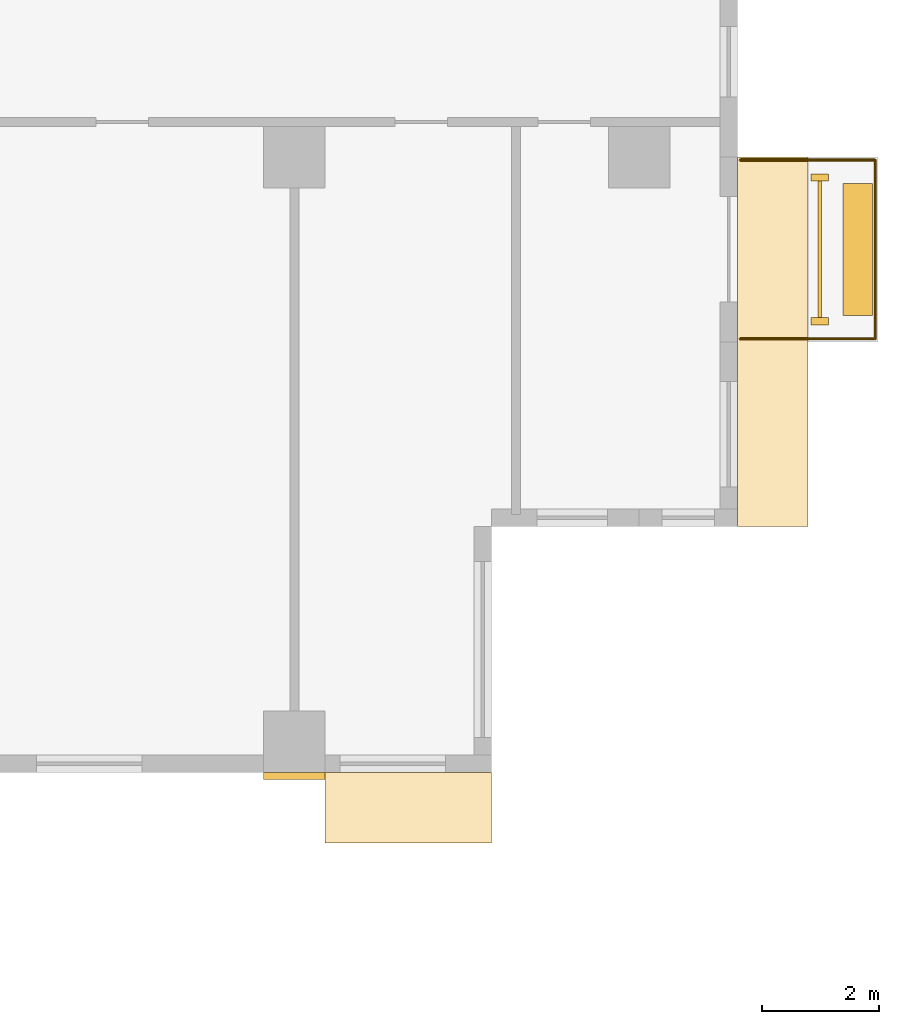
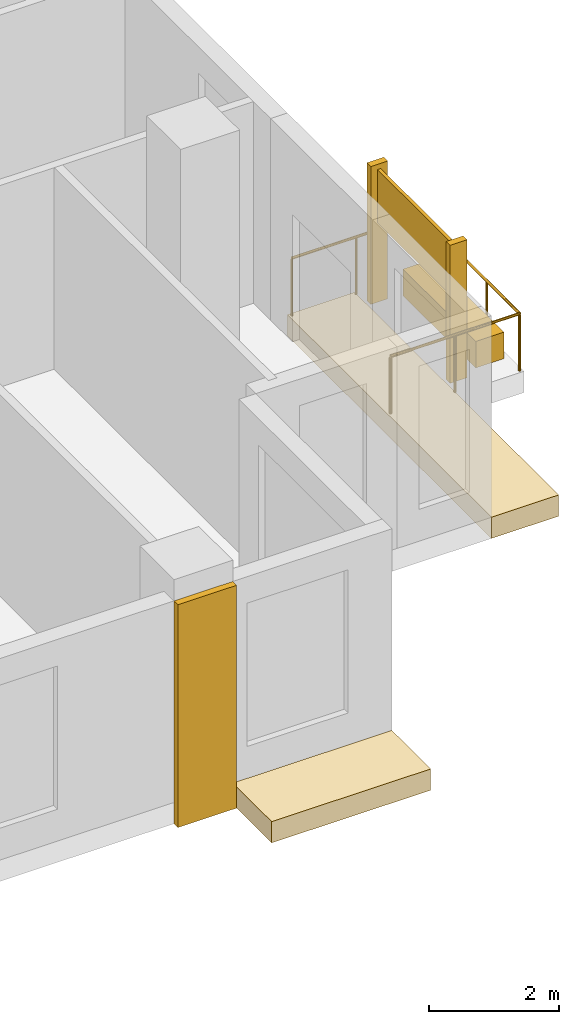
# One storey, part 15 of 15: 7 coverings, 1 railing.
"""IFC4 building model written with IfcOpenShell, lengths in metres."""

from ifc_helpers import new_model, si_unit, direction, frame, origin, origin_2d, place, context, subcontext, project, spatial, polyline, rectangle, circle, outline, extrude, source, transform, mapped, material, type_object, element, save


model = new_model("IFC4")

# Units and contexts
model_context = context("Model", 3, precision=1e-05, world=origin(), true_north=direction((0.0, 1.0)))
body_context = subcontext(model_context, "Body", "Model", "MODEL_VIEW")
ifc_project = project(units=[si_unit("LENGTHUNIT", "METRE"), si_unit("AREAUNIT", "SQUARE_METRE"), si_unit("VOLUMEUNIT", "CUBIC_METRE"), si_unit("PLANEANGLEUNIT", "RADIAN"), si_unit("MASSUNIT", "GRAM", prefix="KILO")], contexts=[model_context])

# Site, building, storey
site_placement = place(None, origin())
site = spatial("IfcSite", under=ifc_project, at=site_placement, CompositionType="ELEMENT")
building_placement = place(site_placement, origin())
building = spatial("IfcBuilding", under=site, at=building_placement, Name="Aurelian Terraces", CompositionType="ELEMENT")
storey_placement = place(building_placement, frame((0.0, 0.0, 145.5)))
storey = spatial("IfcBuildingStorey", under=building, at=storey_placement, Name="L32", CompositionType="ELEMENT", Elevation=145.5)

# Coverings
ifc_material_1 = material(Name="Terracotta roof tiles on membrane", Category="masonry")
covering_type_1 = type_object("IfcCoveringType", Name="Bay roof cover", PredefinedType="ROOFING", material=ifc_material_1)
covering_1_placement = place(storey_placement, frame((0.0, 0.0, -0.4)))
element("IfcCovering", 1, at=covering_1_placement, inside=storey, type_object=covering_type_1, Name="Bay roof L32 64.36_-1.20_67.20_0.00", PredefinedType="ROOFING", context=body_context, shape_type="SweptSolid", body=[
    extrude(outline(polyline([(64.365, 0.0), (67.2, 0.0), (67.2, -1.2), (64.365, -1.2), (64.365, 0.0)])), origin(), (0.0, 0.0, 1.0), 0.4),
])
ifc_material_2 = material(Name="Terracotta rainscreen cladding relief", Category="masonry")
covering_type_2 = type_object("IfcCoveringType", Name="FIN-TC", PredefinedType="CLADDING", material=ifc_material_2)
shared_shape_1 = source(origin(), body_context, "Body", "SweptSolid", [
    extrude(rectangle(XDim=0.3, YDim=0.12, at=origin_2d()), origin(), (0.0, 0.0, 1.0), 2.6),
])
for number, where, z_axis, x_axis, name in (
    (2, (72.8, 7.7, 0.0), (0.0, 0.0, 1.0), (1.0, 0.0, 0.0), "FIN L32 L32-F08-18.1"),
    (3, (72.8, 10.15, 0.0), (0.0, 0.0, 1.0), (1.0, 0.0, 0.0), "FIN L32 L32-F08-18.2"),
):
    element("IfcCovering", number, at=place(storey_placement, frame(where, z_axis=z_axis, x_axis=x_axis)), inside=storey, type_object=covering_type_2, Name=name, PredefinedType="CLADDING", context=body_context, shape_type="MappedRepresentation", body=[
        mapped(shared_shape_1, transform((0.0, 0.0, 0.0), scale=1.0)),
    ])

# Railing
ifc_material_3 = material(Name="Anodised aluminium", Category="aluminium")
railing_type = type_object("IfcRailingType", Name="GUARD-1100", PredefinedType="GUARDRAIL", material=ifc_material_3)
shared_shape_2 = source(origin(), body_context, "Body", "SweptSolid", [
    extrude(circle(Radius=0.024, at=origin_2d()), frame((0.0, 0.0, 1.076), z_axis=(1.0, 0.0, 0.0), x_axis=(0.0, 1.0, 0.0)), (0.0, 0.0, 1.0), 2.3),
    extrude(circle(Radius=0.024, at=origin_2d()), frame((2.3, 0.0, 1.076), z_axis=(0.0, 1.0, 0.0), x_axis=(-1.0, 0.0, 0.0)), (0.0, 0.0, 1.0), 3.05),
    extrude(circle(Radius=0.024, at=origin_2d()), frame((2.3, 3.05, 1.076), z_axis=(-1.0, 0.0, 0.0), x_axis=(0.0, -1.0, 0.0)), (0.0, 0.0, 1.0), 2.3),
    extrude(circle(Radius=0.021, at=origin_2d()), origin(), (0.0, 0.0, 1.0), 1.052),
    extrude(circle(Radius=0.021, at=origin_2d()), frame((1.15, 0.0, 0.0)), (0.0, 0.0, 1.0), 1.052),
    extrude(circle(Radius=0.021, at=origin_2d()), frame((2.3, 0.0, 0.0)), (0.0, 0.0, 1.0), 1.052),
    extrude(circle(Radius=0.021, at=origin_2d()), frame((2.3, 1.0167, 0.0)), (0.0, 0.0, 1.0), 1.052),
    extrude(circle(Radius=0.021, at=origin_2d()), frame((2.3, 2.0333, 0.0)), (0.0, 0.0, 1.0), 1.052),
    extrude(circle(Radius=0.021, at=origin_2d()), frame((2.3, 3.05, 0.0)), (0.0, 0.0, 1.0), 1.052),
    extrude(circle(Radius=0.021, at=origin_2d()), frame((1.15, 3.05, 0.0)), (0.0, 0.0, 1.0), 1.052),
    extrude(circle(Radius=0.021, at=origin_2d()), frame((0.0, 3.05, 0.0)), (0.0, 0.0, 1.0), 1.052),
])
railing_placement = place(storey_placement, frame((71.45, 7.4, 0.0)))
element("IfcRailing", 4, at=railing_placement, inside=storey, type_object=railing_type, Name="Balcony guard L32 F08.18", PredefinedType="GUARDRAIL", context=body_context, shape_type="MappedRepresentation", body=[
    mapped(shared_shape_2, transform((0.0, 0.0, 0.0), scale=1.0)),
])

# Coverings
ifc_material_4 = material(Name="Terracotta planter with planting soil", Category="masonry")
covering_type_3 = type_object("IfcCoveringType", Name="PLANTER-TROUGH", PredefinedType="USERDEFINED", material=ifc_material_4)
shared_shape_3 = source(origin(), body_context, "Body", "SweptSolid", [
    extrude(rectangle(XDim=0.5, YDim=2.25, at=origin_2d()), origin(), (0.0, 0.0, 1.0), 0.5),
])
covering_2_placement = place(storey_placement, frame((73.45, 8.925, 0.0), z_axis=(0.0, 0.0, 1.0), x_axis=(1.0, 0.0, 0.0)))
element("IfcCovering", 5, at=covering_2_placement, inside=storey, type_object=covering_type_3, Name="PLANTER L32 L32-F08-18", ObjectType="PLANTER", PredefinedType="USERDEFINED", context=body_context, shape_type="MappedRepresentation", body=[
    mapped(shared_shape_3, transform((0.0, 0.0, 0.0), scale=1.0)),
])
ifc_material_5 = material(Name="Terracotta rainscreen cladding", Category="masonry")
covering_type_4 = type_object("IfcCoveringType", Name="SCREEN-TC", PredefinedType="CLADDING", material=ifc_material_5)
shared_shape_4 = source(origin(), body_context, "Body", "SweptSolid", [
    extrude(rectangle(XDim=0.06, YDim=2.33, at=origin_2d()), origin(), (0.0, 0.0, 1.0), 1.0),
])
covering_3_placement = place(storey_placement, frame((72.8, 8.925, 1.5), z_axis=(0.0, 0.0, 1.0), x_axis=(1.0, 0.0, 0.0)))
element("IfcCovering", 6, at=covering_3_placement, inside=storey, type_object=covering_type_4, Name="SCREEN L32 L32-F08-18", PredefinedType="CLADDING", context=body_context, shape_type="MappedRepresentation", body=[
    mapped(shared_shape_4, transform((0.0, 0.0, 0.0), scale=1.0)),
])
shared_shape_5 = source(origin(), body_context, "Body", "SweptSolid", [
    extrude(outline(polyline([(71.4, 4.2), (71.4, 10.5), (72.6, 10.5), (72.6, 4.2), (71.4, 4.2)])), origin(), (0.0, 0.0, 1.0), 0.4),
])
covering_4_placement = place(storey_placement, frame((0.0, 0.0, -0.4)))
element("IfcCovering", 7, at=covering_4_placement, inside=storey, type_object=covering_type_1, Name="Bay roof L32 71.40_4.20_72.60_10.50", PredefinedType="ROOFING", context=body_context, shape_type="MappedRepresentation", body=[
    mapped(shared_shape_5, transform((0.0, 0.0, 0.0), scale=1.0)),
])
covering_type_5 = type_object("IfcCoveringType", Name="BAGUETTE-TC", PredefinedType="CLADDING", material=ifc_material_2)
shared_shape_6 = source(origin(), body_context, "Body", "SweptSolid", [
    extrude(rectangle(XDim=1.05, YDim=0.12, at=origin_2d()), origin(), (0.0, 0.0, 1.0), 4.2),
])
covering_5_placement = place(storey_placement, frame((63.84, -0.06, -0.4), z_axis=(0.0, 0.0, 1.0), x_axis=(1.0, 0.0, 0.0)))
element("IfcCovering", 8, at=covering_5_placement, inside=storey, type_object=covering_type_5, Name="BAGUETTE pier L32 4", PredefinedType="CLADDING", context=body_context, shape_type="MappedRepresentation", body=[
    mapped(shared_shape_6, transform((0.0, 0.0, 0.0), scale=1.0)),
])

save(model, "model.ifc")
